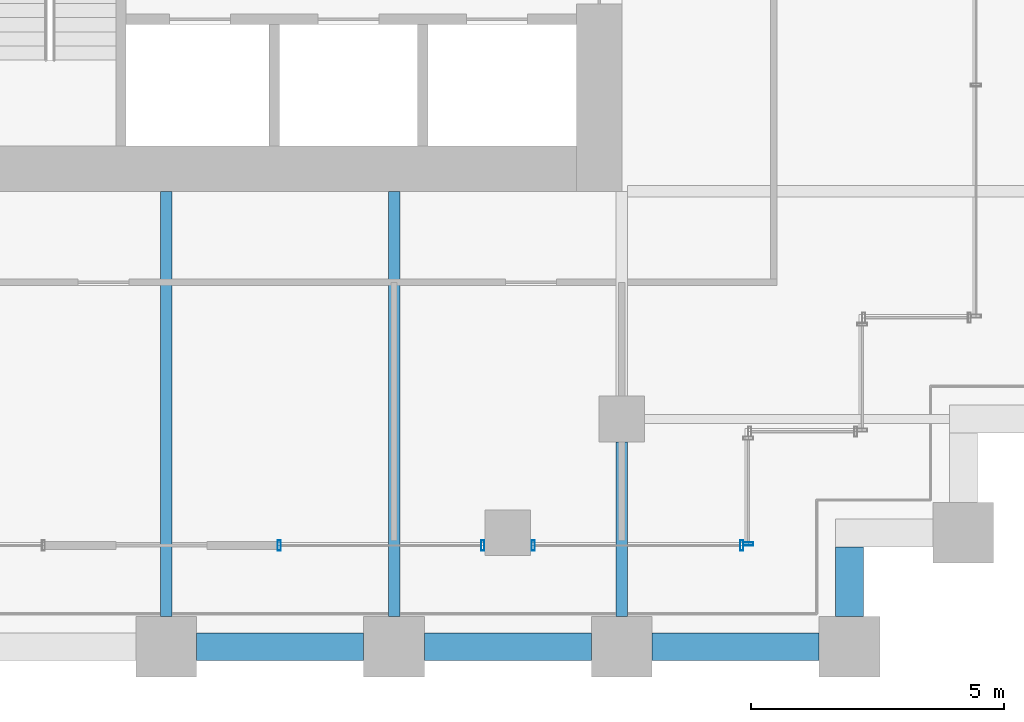
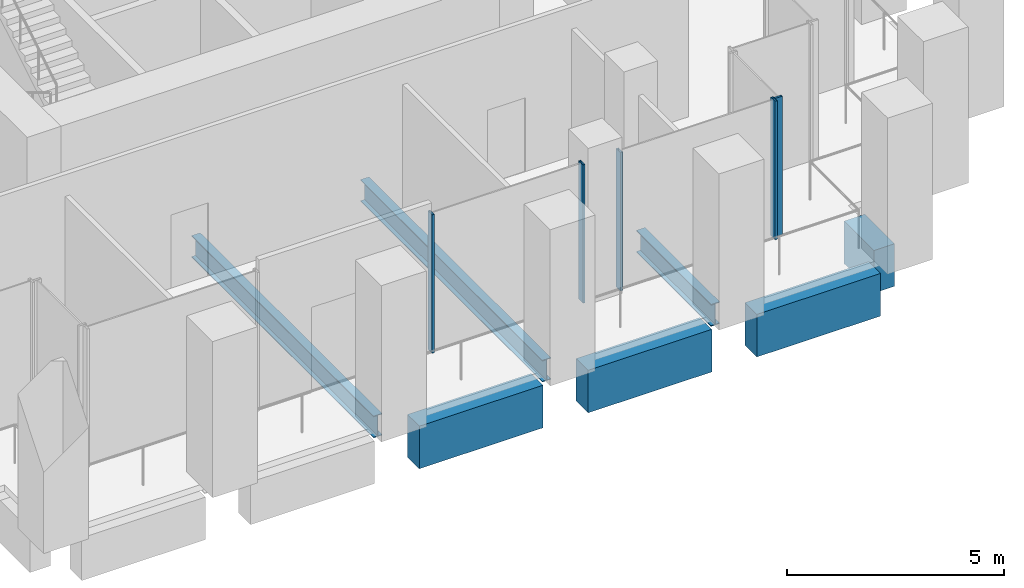
# One storey, part 21 of 36: 7 beams, 5 members, 3 elements without a shape of their own.
"""IFC4 building model written with IfcOpenShell, lengths in metres."""

from ifc_helpers import new_model, si_unit, direction, frame, origin, origin_2d, place, context, subcontext, project, spatial, rectangle, hollow_rectangle, i_section, extrude, material, material_profile, profile_set, type_object, element, aggregate, save


model = new_model("IFC4")

# Units and contexts
model_context = context("Model", 3, precision=1e-05, world=origin(), true_north=direction((0.0, 1.0)))
body_context = subcontext(model_context, "Body", "Model", "MODEL_VIEW")
ifc_project = project(units=[si_unit("LENGTHUNIT", "METRE"), si_unit("AREAUNIT", "SQUARE_METRE"), si_unit("VOLUMEUNIT", "CUBIC_METRE"), si_unit("PLANEANGLEUNIT", "RADIAN"), si_unit("MASSUNIT", "GRAM", prefix="KILO")], contexts=[model_context])

# Site, building, storey
site_placement = place(None, origin())
site = spatial("IfcSite", under=ifc_project, at=site_placement, CompositionType="ELEMENT")
building_placement = place(site_placement, origin())
building = spatial("IfcBuilding", under=site, at=building_placement, Name="Altepetl Exchange Towers", CompositionType="ELEMENT")
storey_placement = place(building_placement, frame((0.0, 0.0, 25.39990234375)))
storey = spatial("IfcBuildingStorey", under=building, at=storey_placement, Name="L05", CompositionType="ELEMENT", Elevation=25.39990234375)

# Beams
ifc_material_1 = material(Name="Steel S355", Category="steel")
ifc_material_profile_1 = material_profile(ifc_material_1, i_section(OverallWidth=0.22900390625, OverallDepth=0.612060546875, WebThickness=0.011962890625, FlangeThickness=0.01953125, at=origin_2d()), Name="W24X84")
ifc_profile_set_1 = profile_set([ifc_material_profile_1], Name="Steel S355")
beam_type_1 = type_object("IfcBeamType", Name="Floor beam W24X84", PredefinedType="BEAM", material=ifc_profile_set_1)
for number, where, z_axis, x_axis, name in (
    (1, (108.0, 27.60009765625, -0.48095703125), (0.0, 1.0, 0.0), (-1.0, 0.0, 0.0), "bm:B:L05:010"),
    (2, (112.5, 27.60009765625, -0.48095703125), (0.0, 1.0, 0.0), (-1.0, 0.0, 0.0), "bm:B:L05:011"),
):
    element("IfcBeam", number, at=place(storey_placement, frame(where, z_axis=z_axis, x_axis=x_axis)), inside=storey, type_object=beam_type_1, Name=name, PredefinedType="BEAM", context=body_context, shape_type="SweptSolid", body=[
        extrude(i_section(OverallWidth=0.22900390625, OverallDepth=0.612060546875, WebThickness=0.011962890625, FlangeThickness=0.01953125, at=origin_2d()), origin(), (0.0, 0.0, 1.0), 8.39990234375),
    ])
ifc_material_profile_2 = material_profile(ifc_material_1, i_section(OverallWidth=0.22900390625, OverallDepth=0.623046875, WebThickness=0.013916015625, FlangeThickness=0.02490234375, at=origin_2d()), Name="W24X103")
ifc_profile_set_2 = profile_set([ifc_material_profile_2], Name="Steel S355")
beam_type_2 = type_object("IfcBeamType", Name="Girder W24X103", PredefinedType="BEAM", material=ifc_profile_set_2)
beam_1_placement = place(storey_placement, frame((117.0, 31.050048828125, -0.486328125), z_axis=(0.0, -1.0, 0.0), x_axis=(1.0, 0.0, 0.0)))
element("IfcBeam", 3, at=beam_1_placement, inside=storey, type_object=beam_type_2, Name="gd:B:L05:005", PredefinedType="BEAM", context=body_context, shape_type="SweptSolid", body=[
    extrude(i_section(OverallWidth=0.22900390625, OverallDepth=0.623046875, WebThickness=0.013916015625, FlangeThickness=0.02490234375, at=origin_2d()), origin(), (0.0, 0.0, 1.0), 3.449951171875),
])

# Curtain wall, members
ifc_material_2 = material(Name="Aluminium 6063-T6 glazing", Category="aluminium")
curtain_wall_type = type_object("IfcCurtainWallType", Name="Trading floor glazing system", PredefinedType="NOTDEFINED", material=ifc_material_2)
curtain_wall_1_placement = place(storey_placement, origin())
curtain_wall_1 = element("IfcCurtainWall", 4, at=curtain_wall_1_placement, inside=storey, type_object=curtain_wall_type, Name="CW2 run", PredefinedType="NOTDEFINED")
ifc_material_3 = material(Name="Aluminium 6063-T6", Category="aluminium")
ifc_material_profile_3 = material_profile(ifc_material_3, hollow_rectangle(XDim=0.06005859375, YDim=0.199951171875, WallThickness=0.0029296875, at=origin_2d()), Name="Mullion 60x200 aluminium")
ifc_profile_set_3 = profile_set([ifc_material_profile_3], Name="Aluminium 6063-T6")
member_type = type_object("IfcMemberType", Name="Mullion 60x200 aluminium", PredefinedType="MULLION", material=ifc_profile_set_3)
member_1_placement = place(storey_placement, frame((110.22998046875, 29.0, 0.0)))
member_1 = element("IfcMember", 5, at=member_1_placement, type_object=member_type, Name="MU2 mullion", PredefinedType="MULLION", context=body_context, shape_type="SweptSolid", body=[
    extrude(hollow_rectangle(XDim=0.06005859375, YDim=0.199951171875, WallThickness=0.0029296875, at=origin_2d()), origin(), (0.0, 0.0, 1.0), 3.900146484375),
])
member_2_placement = place(storey_placement, frame((114.25, 29.0, 0.0)))
member_2 = element("IfcMember", 6, at=member_2_placement, type_object=member_type, Name="MU2 mullion", PredefinedType="MULLION", context=body_context, shape_type="SweptSolid", body=[
    extrude(hollow_rectangle(XDim=0.06005859375, YDim=0.199951171875, WallThickness=0.0029296875, at=origin_2d()), origin(), (0.0, 0.0, 1.0), 3.900146484375),
])
aggregate(curtain_wall_1, [member_1, member_2])

curtain_wall_2_placement = place(storey_placement, origin())
curtain_wall_2 = element("IfcCurtainWall", 7, at=curtain_wall_2_placement, inside=storey, type_object=curtain_wall_type, Name="CW2 run", PredefinedType="NOTDEFINED")
member_3_placement = place(storey_placement, frame((115.25, 29.0, 0.0)))
member_3 = element("IfcMember", 8, at=member_3_placement, type_object=member_type, Name="MU2 mullion", PredefinedType="MULLION", context=body_context, shape_type="SweptSolid", body=[
    extrude(hollow_rectangle(XDim=0.06005859375, YDim=0.199951171875, WallThickness=0.0029296875, at=origin_2d()), origin(), (0.0, 0.0, 1.0), 3.900146484375),
])
member_4_placement = place(storey_placement, frame((119.3701171875, 29.0, 0.0)))
member_4 = element("IfcMember", 9, at=member_4_placement, type_object=member_type, Name="MU2 mullion", PredefinedType="MULLION", context=body_context, shape_type="SweptSolid", body=[
    extrude(hollow_rectangle(XDim=0.06005859375, YDim=0.199951171875, WallThickness=0.0029296875, at=origin_2d()), origin(), (0.0, 0.0, 1.0), 3.900146484375),
])
aggregate(curtain_wall_2, [member_3, member_4])

# Curtain wall, member
curtain_wall_3_placement = place(storey_placement, origin())
curtain_wall_3 = element("IfcCurtainWall", 10, at=curtain_wall_3_placement, inside=storey, type_object=curtain_wall_type, Name="CW2 run", PredefinedType="NOTDEFINED")
member_5_placement = place(storey_placement, frame((119.5, 29.030029296875, 0.0), z_axis=(0.0, 0.0, 1.0), x_axis=(0.0, 1.0, 0.0)))
member_5 = element("IfcMember", 11, at=member_5_placement, type_object=member_type, Name="MU2 mullion", PredefinedType="MULLION", context=body_context, shape_type="SweptSolid", body=[
    extrude(hollow_rectangle(XDim=0.06005859375, YDim=0.199951171875, WallThickness=0.0029296875, at=origin_2d()), origin(), (0.0, 0.0, 1.0), 3.900146484375),
])
aggregate(curtain_wall_3, [member_5])

# Beams
ifc_material_4 = material(Name="Concrete C50/60 precast with cantera blanca facing", Category="concrete")
ifc_material_profile_4 = material_profile(ifc_material_4, rectangle(XDim=0.550048828125, YDim=1.199951171875, at=origin_2d()), Name="550 x 1200")
ifc_profile_set_4 = profile_set([ifc_material_profile_4], Name="Concrete C50/60 precast with cantera blanca facing")
beam_type_3 = type_object("IfcBeamType", Name="Spandrel beam 550x1200 cantera blanca", PredefinedType="SPANDREL", material=ifc_profile_set_4)
beam_2_placement = place(storey_placement, frame((117.60009765625, 27.0, -0.77490234375), z_axis=(1.0, 0.0, 0.0), x_axis=(0.0, 1.0, 0.0)))
element("IfcBeam", 12, at=beam_2_placement, inside=storey, type_object=beam_type_3, Name="sp:B:L05:004", PredefinedType="SPANDREL", context=body_context, shape_type="SweptSolid", body=[
    extrude(rectangle(XDim=0.550048828125, YDim=1.199951171875, at=origin_2d()), origin(), (0.0, 0.0, 1.0), 3.2998046875),
])
beam_3_placement = place(storey_placement, frame((121.5, 27.60009765625, -0.77490234375), z_axis=(0.0, 1.0, 0.0), x_axis=(-1.0, 0.0, 0.0)))
element("IfcBeam", 13, at=beam_3_placement, inside=storey, type_object=beam_type_3, Name="sp:B:L05:005", PredefinedType="SPANDREL", context=body_context, shape_type="SweptSolid", body=[
    extrude(rectangle(XDim=0.550048828125, YDim=1.199951171875, at=origin_2d()), origin(), (0.0, 0.0, 1.0), 1.375),
])
ifc_material_5 = material(Name="Concrete C50/60 precast with tezontle facing", Category="concrete")
ifc_material_profile_5 = material_profile(ifc_material_5, rectangle(XDim=0.550048828125, YDim=1.199951171875, at=origin_2d()), Name="550 x 1200")
ifc_profile_set_5 = profile_set([ifc_material_profile_5], Name="Concrete C50/60 precast with tezontle facing")
beam_type_4 = type_object("IfcBeamType", Name="Spandrel beam 550x1200 tezontle", PredefinedType="SPANDREL", material=ifc_profile_set_5)
for number, where, z_axis, x_axis, name in (
    (14, (108.60009765625, 27.0, -0.77490234375), (1.0, 0.0, 0.0), (0.0, 1.0, 0.0), "sp:B:L05:002"),
    (15, (113.10009765625, 27.0, -0.77490234375), (1.0, 0.0, 0.0), (0.0, 1.0, 0.0), "sp:B:L05:003"),
):
    element("IfcBeam", number, at=place(storey_placement, frame(where, z_axis=z_axis, x_axis=x_axis)), inside=storey, type_object=beam_type_4, Name=name, PredefinedType="SPANDREL", context=body_context, shape_type="SweptSolid", body=[
        extrude(rectangle(XDim=0.550048828125, YDim=1.199951171875, at=origin_2d()), origin(), (0.0, 0.0, 1.0), 3.2998046875),
    ])

save(model, "model.ifc")
